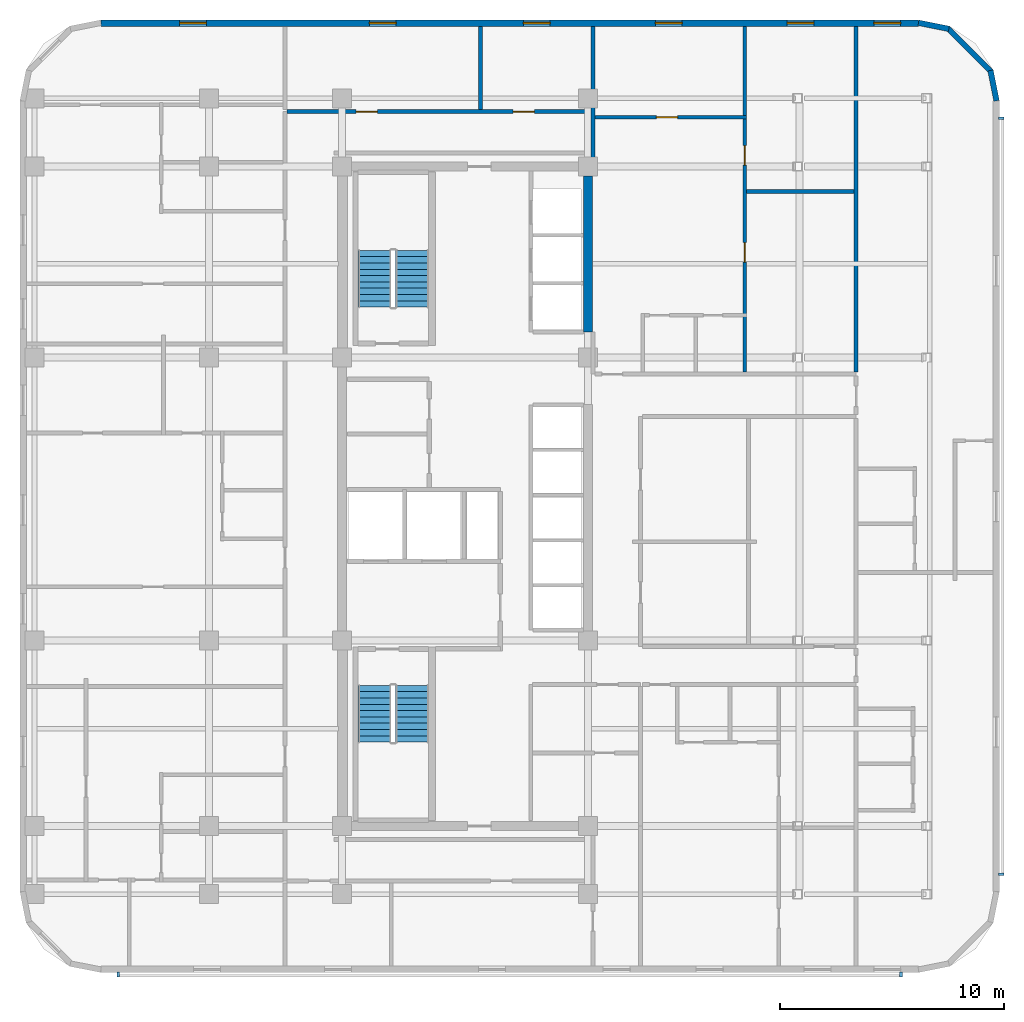
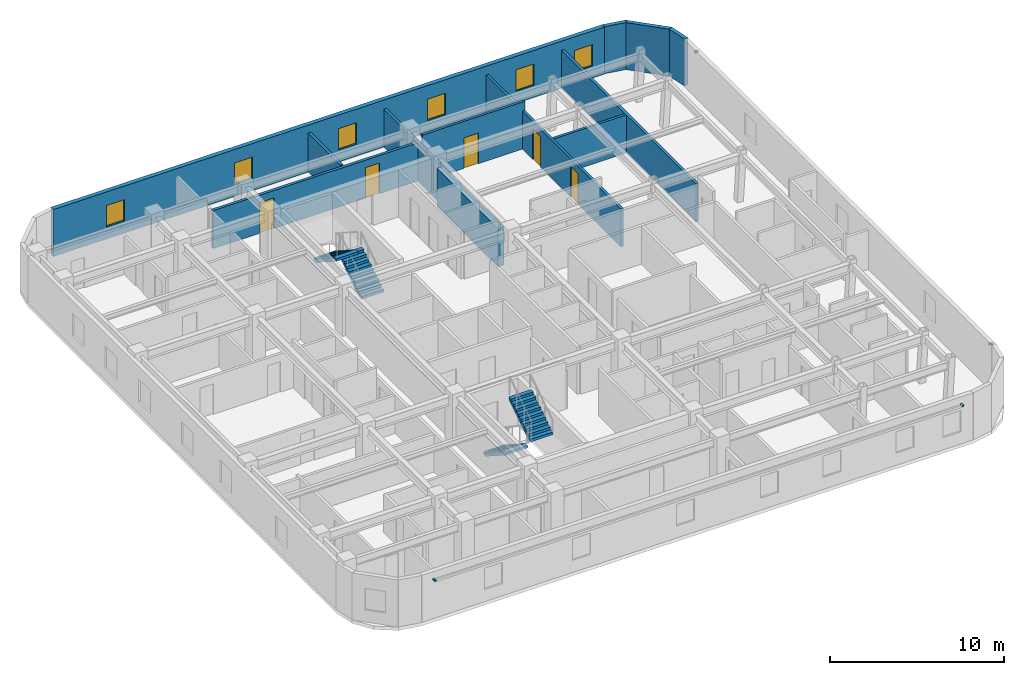
# One storey, part 7 of 11: 12 walls, 6 windows, 5 doors, 4 discrete accessories, 4 stair flights, 11 openings, 2 elements without a shape of their own.
"""IFC4 building model written with IfcOpenShell, lengths in metres."""

from ifc_helpers import new_model, si_unit, direction, frame, frame_2d, origin, origin_2d, place, context, subcontext, project, spatial, polyline, rectangle, outline, extrude, material, layer, layer_set, type_object, element, fill, aggregate, save


model = new_model("IFC4")

# Units and contexts
model_context = context("Model", 3, precision=1e-05, world=origin(), true_north=direction((0.0, 1.0)))
body_context = subcontext(model_context, "Body", "Model", "MODEL_VIEW")
ifc_project = project(units=[si_unit("LENGTHUNIT", "METRE"), si_unit("AREAUNIT", "SQUARE_METRE"), si_unit("VOLUMEUNIT", "CUBIC_METRE"), si_unit("PLANEANGLEUNIT", "RADIAN"), si_unit("MASSUNIT", "GRAM", prefix="KILO")], contexts=[model_context])

# Site, building, storey
site_placement = place(None, origin())
site = spatial("IfcSite", under=ifc_project, at=site_placement, CompositionType="ELEMENT")
building_placement = place(site_placement, origin())
building = spatial("IfcBuilding", under=site, at=building_placement, Name="Ochreholt Gables", CompositionType="ELEMENT")
storey_placement = place(building_placement, frame((0.0, 0.0, 132.0)))
storey = spatial("IfcBuildingStorey", under=building, at=storey_placement, Name="L34", CompositionType="ELEMENT", Elevation=132.0)

# Wall
ifc_material_1 = material(Name="Concrete 60 MPa", Category="concrete")
ifc_layer_1 = layer(ifc_material_1, 0.39990234375, Name="Concrete 60 MPa")
ifc_layer_set_1 = layer_set([ifc_layer_1], Name="Concrete 60 MPa")
wall_type_1 = type_object("IfcWallType", Name="WALL-CSW-400", PredefinedType="SHEAR", material=ifc_layer_set_1)
wall_1_placement = place(storey_placement, frame((35.199951171875, 31.35009765625, 0.0), z_axis=(0.0, 0.0, 1.0), x_axis=(0.0, 1.0, 0.0)))
element("IfcWall", 1, at=wall_1_placement, inside=storey, type_object=wall_type_1, Name="L34 Core North-East Shear Wall", PredefinedType="SHEAR", context=body_context, shape_type="SweptSolid", body=[
    extrude(rectangle(XDim=6.974853515625, YDim=0.39990234375, at=frame_2d((3.4873046875, 0.0))), origin(), (0.0, 0.0, 1.0), 2.68896484375),
])

# Wall, openings, windows
ifc_material_2 = material(Name="Precast concrete 40 MPa", Category="concrete")
ifc_layer_2 = layer(ifc_material_2, 0.280029296875, Name="Precast concrete 40 MPa")
ifc_layer_set_2 = layer_set([ifc_layer_2], Name="Precast concrete 40 MPa")
wall_type_2 = type_object("IfcWallType", Name="WALL-EXT-280", PredefinedType="SOLIDWALL", material=ifc_layer_set_2)
wall_2_placement = place(storey_placement, frame((49.97998046875, 45.159912109375, 0.0), z_axis=(0.0, 0.0, 1.0), x_axis=(-1.0, 0.0, 0.0)))
wall_2 = element("IfcWall", 2, at=wall_2_placement, inside=storey, type_object=wall_type_2, Name="L34 North Exterior Wall", PredefinedType="SOLIDWALL", context=body_context, shape_type="SweptSolid", body=[
    extrude(rectangle(XDim=36.56005859375, YDim=0.280029296875, at=frame_2d((18.280029296875, 0.0))), origin(), (0.0, 0.0, 1.0), 3.300048828125),
])
opening_1_placement = place(wall_2_placement, frame((31.844970703125, 0.0, 0.85009765625)))
opening_1 = element("IfcOpeningElement", 3, at=opening_1_placement, cuts=wall_2, Name="Opening WN-3", PredefinedType="OPENING", context=body_context, shape_type="SweptSolid", body=[
    extrude(rectangle(XDim=1.199951171875, YDim=1.5, at=frame_2d((0.60009765625, 0.75))), frame((0.0, 0.14990234375, 0.0), z_axis=(0.0, -1.0, 0.0), x_axis=(1.0, 0.0, 0.0)), (0.0, 0.0, 1.0), 0.300048828125),
])
opening_2_placement = place(wall_2_placement, frame((23.35498046875, 0.0, 0.85009765625)))
opening_2 = element("IfcOpeningElement", 4, at=opening_2_placement, cuts=wall_2, Name="Opening WN-3", PredefinedType="OPENING", context=body_context, shape_type="SweptSolid", body=[
    extrude(rectangle(XDim=1.199951171875, YDim=1.5, at=frame_2d((0.60009765625, 0.75))), frame((0.0, 0.14990234375, 0.0), z_axis=(0.0, -1.0, 0.0), x_axis=(1.0, 0.0, 0.0)), (0.0, 0.0, 1.0), 0.300048828125),
])
opening_3_placement = place(wall_2_placement, frame((16.469970703125, 0.0, 0.85009765625)))
opening_3 = element("IfcOpeningElement", 5, at=opening_3_placement, cuts=wall_2, Name="Opening WN-3", PredefinedType="OPENING", context=body_context, shape_type="SweptSolid", body=[
    extrude(rectangle(XDim=1.199951171875, YDim=1.5, at=frame_2d((0.60009765625, 0.75))), frame((0.0, 0.14990234375, 0.0), z_axis=(0.0, -1.0, 0.0), x_axis=(1.0, 0.0, 0.0)), (0.0, 0.0, 1.0), 0.300048828125),
])
opening_4_placement = place(wall_2_placement, frame((10.56494140625, 0.0, 0.85009765625)))
opening_4 = element("IfcOpeningElement", 6, at=opening_4_placement, cuts=wall_2, Name="Opening WN-3", PredefinedType="OPENING", context=body_context, shape_type="SweptSolid", body=[
    extrude(rectangle(XDim=1.199951171875, YDim=1.5, at=frame_2d((0.60009765625, 0.75))), frame((0.0, 0.14990234375, 0.0), z_axis=(0.0, -1.0, 0.0), x_axis=(1.0, 0.0, 0.0)), (0.0, 0.0, 1.0), 0.300048828125),
])
opening_5_placement = place(wall_2_placement, frame((4.675048828125, 0.0, 0.85009765625)))
opening_5 = element("IfcOpeningElement", 7, at=opening_5_placement, cuts=wall_2, Name="Opening WN-3", PredefinedType="OPENING", context=body_context, shape_type="SweptSolid", body=[
    extrude(rectangle(XDim=1.199951171875, YDim=1.5, at=frame_2d((0.60009765625, 0.75))), frame((0.0, 0.14990234375, 0.0), z_axis=(0.0, -1.0, 0.0), x_axis=(1.0, 0.0, 0.0)), (0.0, 0.0, 1.0), 0.300048828125),
])
opening_6_placement = place(wall_2_placement, frame((0.7900390625, 0.0, 0.85009765625)))
opening_6 = element("IfcOpeningElement", 8, at=opening_6_placement, cuts=wall_2, Name="Opening WN-3", PredefinedType="OPENING", context=body_context, shape_type="SweptSolid", body=[
    extrude(rectangle(XDim=1.199951171875, YDim=1.5, at=frame_2d((0.60009765625, 0.75))), frame((0.0, 0.14990234375, 0.0), z_axis=(0.0, -1.0, 0.0), x_axis=(1.0, 0.0, 0.0)), (0.0, 0.0, 1.0), 0.300048828125),
])
ifc_material_3 = material(Name="Triple-Glazed Thermally Broken Aluminium Window", Category="aluminium")
window_type = type_object("IfcWindowType", Name="WIN-RES-1200", PartitioningType="SINGLE_PANEL", PredefinedType="WINDOW", material=ifc_material_3)
window_1_placement = place(opening_1_placement, origin())
window_1 = element("IfcWindow", 9, at=window_1_placement, inside=storey, type_object=window_type, Name="L34 Window W-EXT-N-L34-1", OverallHeight=1.5, OverallWidth=1.199951171875, PartitioningType="SINGLE_PANEL", PredefinedType="WINDOW", context=body_context, shape_type="SweptSolid", body=[
    extrude(rectangle(XDim=1.199951171875, YDim=1.5, at=frame_2d((0.60009765625, 0.75))), frame((0.0, 0.030029296875, 0.0), z_axis=(0.0, -1.0, 0.0), x_axis=(1.0, 0.0, 0.0)), (0.0, 0.0, 1.0), 0.06005859375),
])
fill(opening_1, window_1)
window_2_placement = place(opening_2_placement, origin())
window_2 = element("IfcWindow", 10, at=window_2_placement, inside=storey, type_object=window_type, Name="L34 Window W-EXT-N-L34-2", OverallHeight=1.5, OverallWidth=1.199951171875, PartitioningType="SINGLE_PANEL", PredefinedType="WINDOW", context=body_context, shape_type="SweptSolid", body=[
    extrude(rectangle(XDim=1.199951171875, YDim=1.5, at=frame_2d((0.60009765625, 0.75))), frame((0.0, 0.030029296875, 0.0), z_axis=(0.0, -1.0, 0.0), x_axis=(1.0, 0.0, 0.0)), (0.0, 0.0, 1.0), 0.06005859375),
])
fill(opening_2, window_2)
window_3_placement = place(opening_3_placement, origin())
window_3 = element("IfcWindow", 11, at=window_3_placement, inside=storey, type_object=window_type, Name="L34 Window W-EXT-N-L34-3", OverallHeight=1.5, OverallWidth=1.199951171875, PartitioningType="SINGLE_PANEL", PredefinedType="WINDOW", context=body_context, shape_type="SweptSolid", body=[
    extrude(rectangle(XDim=1.199951171875, YDim=1.5, at=frame_2d((0.60009765625, 0.75))), frame((0.0, 0.030029296875, 0.0), z_axis=(0.0, -1.0, 0.0), x_axis=(1.0, 0.0, 0.0)), (0.0, 0.0, 1.0), 0.06005859375),
])
fill(opening_3, window_3)
window_4_placement = place(opening_4_placement, origin())
window_4 = element("IfcWindow", 12, at=window_4_placement, inside=storey, type_object=window_type, Name="L34 Window W-EXT-N-L34-4", OverallHeight=1.5, OverallWidth=1.199951171875, PartitioningType="SINGLE_PANEL", PredefinedType="WINDOW", context=body_context, shape_type="SweptSolid", body=[
    extrude(rectangle(XDim=1.199951171875, YDim=1.5, at=frame_2d((0.60009765625, 0.75))), frame((0.0, 0.030029296875, 0.0), z_axis=(0.0, -1.0, 0.0), x_axis=(1.0, 0.0, 0.0)), (0.0, 0.0, 1.0), 0.06005859375),
])
fill(opening_4, window_4)
window_5_placement = place(opening_5_placement, origin())
window_5 = element("IfcWindow", 13, at=window_5_placement, inside=storey, type_object=window_type, Name="L34 Window W-EXT-N-L34-5", OverallHeight=1.5, OverallWidth=1.199951171875, PartitioningType="SINGLE_PANEL", PredefinedType="WINDOW", context=body_context, shape_type="SweptSolid", body=[
    extrude(rectangle(XDim=1.199951171875, YDim=1.5, at=frame_2d((0.60009765625, 0.75))), frame((0.0, 0.030029296875, 0.0), z_axis=(0.0, -1.0, 0.0), x_axis=(1.0, 0.0, 0.0)), (0.0, 0.0, 1.0), 0.06005859375),
])
fill(opening_5, window_5)
window_6_placement = place(opening_6_placement, origin())
window_6 = element("IfcWindow", 14, at=window_6_placement, inside=storey, type_object=window_type, Name="L34 Window W-EXT-N-L34-6", OverallHeight=1.5, OverallWidth=1.199951171875, PartitioningType="SINGLE_PANEL", PredefinedType="WINDOW", context=body_context, shape_type="SweptSolid", body=[
    extrude(rectangle(XDim=1.199951171875, YDim=1.5, at=frame_2d((0.60009765625, 0.75))), frame((0.0, 0.030029296875, 0.0), z_axis=(0.0, -1.0, 0.0), x_axis=(1.0, 0.0, 0.0)), (0.0, 0.0, 1.0), 0.06005859375),
])
fill(opening_6, window_6)

# Walls
ifc_layer_3 = layer(ifc_material_2, 0.25, Name="Precast concrete 40 MPa")
ifc_layer_set_3 = layer_set([ifc_layer_3], Name="Precast concrete 40 MPa")
wall_type_3 = type_object("IfcWallType", Name="WALL-EXT-CNR", PredefinedType="SOLIDWALL", material=ifc_layer_set_3)
wall_3_placement = place(storey_placement, frame((53.475830078125, 41.68359375, 0.0), z_axis=(0.0, 0.0, 1.0), x_axis=(-0.195000137217, 0.980803214965, 0.0)))
element("IfcWall", 15, at=wall_3_placement, inside=storey, type_object=wall_type_3, Name="L34 Rounded Corner Wall NE-1", PredefinedType="SOLIDWALL", context=body_context, shape_type="SweptSolid", body=[
    extrude(rectangle(XDim=1.388427734375, YDim=0.25, at=frame_2d((0.6943359375, 0.0))), origin(), (0.0, 0.0, 1.0), 3.300048828125),
])
wall_4_placement = place(storey_placement, frame((53.23193359375, 42.9951171875, 0.0), z_axis=(0.0, 0.0, 1.0), x_axis=(-0.707151344399, 0.707062215165, 0.0)))
element("IfcWall", 16, at=wall_4_placement, inside=storey, type_object=wall_type_3, Name="L34 Rounded Corner Wall NE-2", PredefinedType="SOLIDWALL", context=body_context, shape_type="SweptSolid", body=[
    extrude(rectangle(XDim=2.7392578125, YDim=0.25, at=frame_2d((1.36962890625, 0.0))), origin(), (0.0, 0.0, 1.0), 3.300048828125),
])
wall_5_placement = place(storey_placement, frame((51.345458984375, 44.905029296875, 0.0), z_axis=(0.0, 0.0, 1.0), x_axis=(-0.980809899341, 0.19496651342, 0.0)))
element("IfcWall", 17, at=wall_5_placement, inside=storey, type_object=wall_type_3, Name="L34 Rounded Corner Wall NE-3", PredefinedType="SOLIDWALL", context=body_context, shape_type="SweptSolid", body=[
    extrude(rectangle(XDim=1.388671875, YDim=0.25, at=frame_2d((0.6943359375, 0.0))), origin(), (0.0, 0.0, 1.0), 3.300048828125),
])

# Wall, openings, doors
ifc_material_4 = material(Name="Fire-Rated Gypsum Acoustic Partition", Category="gypsum")
ifc_layer_4 = layer(ifc_material_4, 0.179931640625, Name="Fire-Rated Gypsum Acoustic Partition")
ifc_layer_set_4 = layer_set([ifc_layer_4], Name="Fire-Rated Gypsum Acoustic Partition")
wall_type_4 = type_object("IfcWallType", Name="WALL-INT-CR180", PredefinedType="STANDARD", material=ifc_layer_set_4)
wall_6_placement = place(storey_placement, frame((21.739990234375, 41.199951171875, 0.0), z_axis=(0.0, 0.0, 1.0), x_axis=(1.0, 0.0, 0.0)))
wall_6 = element("IfcWall", 18, at=wall_6_placement, inside=storey, type_object=wall_type_4, Name="L34 Interior Wall WI-C2WCN-L34", PredefinedType="STANDARD", context=body_context, shape_type="SweptSolid", body=[
    extrude(rectangle(XDim=13.679931640625, YDim=0.179931640625, at=frame_2d((6.83984375, 0.0))), origin(), (0.0, 0.0, 1.0), 2.6708984375),
])
opening_7_placement = place(wall_6_placement, frame((3.090087890625, 0.0, 0.0)))
opening_7 = element("IfcOpeningElement", 19, at=opening_7_placement, cuts=wall_6, Name="Opening D-GN1", PredefinedType="OPENING", context=body_context, shape_type="SweptSolid", body=[
    extrude(rectangle(XDim=0.949951171875, YDim=2.14990234375, at=frame_2d((0.47509765625, 1.074951171875))), frame((0.0, 0.099853515625, 0.0), z_axis=(0.0, -1.0, 0.0), x_axis=(1.0, 0.0, 0.0)), (0.0, 0.0, 1.0), 0.199951171875),
])
opening_8_placement = place(wall_6_placement, frame((10.110107421875, 0.0, 0.0)))
opening_8 = element("IfcOpeningElement", 20, at=opening_8_placement, cuts=wall_6, Name="Opening D-GN1", PredefinedType="OPENING", context=body_context, shape_type="SweptSolid", body=[
    extrude(rectangle(XDim=0.949951171875, YDim=2.14990234375, at=frame_2d((0.47509765625, 1.074951171875))), frame((0.0, 0.099853515625, 0.0), z_axis=(0.0, -1.0, 0.0), x_axis=(1.0, 0.0, 0.0)), (0.0, 0.0, 1.0), 0.199951171875),
])
ifc_material_5 = material(Name="Engineered Oak Timber", Category="wood")
door_type_1 = type_object("IfcDoorType", Name="DR-INT-GEN950", OperationType="NOTDEFINED", PredefinedType="DOOR", material=ifc_material_5)
door_1_placement = place(opening_7_placement, origin())
door_1 = element("IfcDoor", 21, at=door_1_placement, inside=storey, type_object=door_type_1, Name="L34 Door D-C2NRS1-L34", OperationType="SINGLE_SWING_RIGHT", OverallHeight=2.14990234375, OverallWidth=0.949951171875, PredefinedType="DOOR", context=body_context, shape_type="SweptSolid", body=[
    extrude(rectangle(XDim=0.949951171875, YDim=2.14990234375, at=frame_2d((0.47509765625, 1.074951171875))), frame((0.0, 0.02490234375, 0.0), z_axis=(0.0, -1.0, 0.0), x_axis=(1.0, 0.0, 0.0)), (0.0, 0.0, 1.0), 0.050048828125),
])
fill(opening_7, door_1)
door_2_placement = place(opening_8_placement, origin())
door_2 = element("IfcDoor", 22, at=door_2_placement, inside=storey, type_object=door_type_1, Name="L34 Door D-C2NRS2-L34", OperationType="SINGLE_SWING_LEFT", OverallHeight=2.14990234375, OverallWidth=0.949951171875, PredefinedType="DOOR", context=body_context, shape_type="SweptSolid", body=[
    extrude(rectangle(XDim=0.949951171875, YDim=2.14990234375, at=frame_2d((0.47509765625, 1.074951171875))), frame((0.0, 0.02490234375, 0.0), z_axis=(0.0, -1.0, 0.0), x_axis=(1.0, 0.0, 0.0)), (0.0, 0.0, 1.0), 0.050048828125),
])
fill(opening_8, door_2)

# Walls
ifc_material_6 = material(Name="Double-Stud Acoustic Demising Wall", Category="gypsum")
ifc_layer_5 = layer(ifc_material_6, 0.179931640625, Name="Double-Stud Acoustic Demising Wall")
ifc_layer_set_5 = layer_set([ifc_layer_5], Name="Double-Stud Acoustic Demising Wall")
wall_type_5 = type_object("IfcWallType", Name="WALL-INT-DM180", PredefinedType="PARTITIONING", material=ifc_layer_set_5)
wall_7_placement = place(storey_placement, frame((35.419921875, 38.75, 0.0), z_axis=(0.0, 0.0, 1.0), x_axis=(0.0, 1.0, 0.0)))
element("IfcWall", 23, at=wall_7_placement, inside=storey, type_object=wall_type_5, Name="L34 Interior Wall WI-C2NEN-L34", PredefinedType="PARTITIONING", context=body_context, shape_type="SweptSolid", body=[
    extrude(rectangle(XDim=6.27001953125, YDim=0.179931640625, at=frame_2d((3.135009765625, 0.0))), origin(), (0.0, 0.0, 1.0), 2.6708984375),
])
wall_8_placement = place(storey_placement, frame((47.199951171875, 29.550048828125, 0.0), z_axis=(0.0, 0.0, 1.0), x_axis=(0.0, 1.0, 0.0)))
element("IfcWall", 24, at=wall_8_placement, inside=storey, type_object=wall_type_5, Name="L34 Interior Wall WI-C2FEW3-L34", PredefinedType="PARTITIONING", context=body_context, shape_type="SweptSolid", body=[
    extrude(rectangle(XDim=15.469970703125, YDim=0.179931640625, at=frame_2d((7.73486328125, 0.0))), origin(), (0.0, 0.0, 1.0), 2.6708984375),
])

# Wall, openings, doors
ifc_material_7 = material(Name="Gypsum Acoustic Stud Partition", Category="gypsum")
ifc_layer_6 = layer(ifc_material_7, 0.1650390625, Name="Gypsum Acoustic Stud Partition")
ifc_layer_set_6 = layer_set([ifc_layer_6], Name="Gypsum Acoustic Stud Partition")
wall_type_6 = type_object("IfcWallType", Name="WALL-INT-PT165", PredefinedType="PARTITIONING", material=ifc_layer_set_6)
wall_9_placement = place(storey_placement, frame((42.2099609375, 29.550048828125, 0.0), z_axis=(0.0, 0.0, 1.0), x_axis=(0.0, 1.0, 0.0)))
wall_9 = element("IfcWall", 25, at=wall_9_placement, inside=storey, type_object=wall_type_6, Name="L34 Interior Wall WU-L34N1-MNX", PredefinedType="PARTITIONING", context=body_context, shape_type="SweptSolid", body=[
    extrude(rectangle(XDim=15.469970703125, YDim=0.1650390625, at=frame_2d((7.73486328125, 0.0))), origin(), (0.0, 0.0, 1.0), 2.6708984375),
])
opening_9_placement = place(wall_9_placement, frame((4.91748046875, 0.0, 0.0)))
opening_9 = element("IfcOpeningElement", 26, at=opening_9_placement, cuts=wall_9, Name="Opening D-BD2", PredefinedType="OPENING", context=body_context, shape_type="SweptSolid", body=[
    extrude(rectangle(XDim=0.8798828125, YDim=2.139892578125, at=frame_2d((0.43994140625, 1.06982421875))), frame((0.0, 0.092529296875, 0.0), z_axis=(0.0, -1.0, 0.0), x_axis=(1.0, 0.0, 0.0)), (0.0, 0.0, 1.0), 0.18505859375),
])
opening_10_placement = place(wall_9_placement, frame((9.2548828125, 0.0, 0.0)))
opening_10 = element("IfcOpeningElement", 27, at=opening_10_placement, cuts=wall_9, Name="Opening D-BD2", PredefinedType="OPENING", context=body_context, shape_type="SweptSolid", body=[
    extrude(rectangle(XDim=0.8798828125, YDim=2.139892578125, at=frame_2d((0.43994140625, 1.06982421875))), frame((0.0, 0.092529296875, 0.0), z_axis=(0.0, -1.0, 0.0), x_axis=(1.0, 0.0, 0.0)), (0.0, 0.0, 1.0), 0.18505859375),
])
door_type_2 = type_object("IfcDoorType", Name="DR-INT-BED880", OperationType="NOTDEFINED", PredefinedType="DOOR", material=ifc_material_5)
door_3_placement = place(opening_9_placement, origin())
door_3 = element("IfcDoor", 28, at=door_3_placement, inside=storey, type_object=door_type_2, Name="L34 Door D-U-L34N1-BD1", OperationType="SINGLE_SWING_LEFT", OverallHeight=2.139892578125, OverallWidth=0.8798828125, PredefinedType="DOOR", context=body_context, shape_type="SweptSolid", body=[
    extrude(rectangle(XDim=0.8798828125, YDim=2.139892578125, at=frame_2d((0.43994140625, 1.06982421875))), frame((0.0, 0.02490234375, 0.0), z_axis=(0.0, -1.0, 0.0), x_axis=(1.0, 0.0, 0.0)), (0.0, 0.0, 1.0), 0.050048828125),
])
fill(opening_9, door_3)
door_4_placement = place(opening_10_placement, origin())
door_4 = element("IfcDoor", 29, at=door_4_placement, inside=storey, type_object=door_type_2, Name="L34 Door D-U-L34N1-BD2", OperationType="SINGLE_SWING_RIGHT", OverallHeight=2.139892578125, OverallWidth=0.8798828125, PredefinedType="DOOR", context=body_context, shape_type="SweptSolid", body=[
    extrude(rectangle(XDim=0.8798828125, YDim=2.139892578125, at=frame_2d((0.43994140625, 1.06982421875))), frame((0.0, 0.02490234375, 0.0), z_axis=(0.0, -1.0, 0.0), x_axis=(1.0, 0.0, 0.0)), (0.0, 0.0, 1.0), 0.050048828125),
])
fill(opening_10, door_4)

# Wall, opening, door
wall_10_placement = place(storey_placement, frame((35.510009765625, 40.949951171875, 0.0), z_axis=(0.0, 0.0, 1.0), x_axis=(1.0, 0.0, 0.0)))
wall_10 = element("IfcWall", 30, at=wall_10_placement, inside=storey, type_object=wall_type_6, Name="L34 Interior Wall WU-L34N1-DNY", PredefinedType="PARTITIONING", context=body_context, shape_type="SweptSolid", body=[
    extrude(rectangle(XDim=6.780029296875, YDim=0.1650390625, at=frame_2d((3.39013671875, 0.0))), origin(), (0.0, 0.0, 1.0), 3.300048828125),
])
opening_11_placement = place(wall_10_placement, frame((2.7548828125, 0.0, 0.0)))
opening_11 = element("IfcOpeningElement", 31, at=opening_11_placement, cuts=wall_10, Name="Opening D-GN1", PredefinedType="OPENING", context=body_context, shape_type="SweptSolid", body=[
    extrude(rectangle(XDim=0.949951171875, YDim=2.14990234375, at=frame_2d((0.47509765625, 1.074951171875))), frame((0.0, 0.092529296875, 0.0), z_axis=(0.0, -1.0, 0.0), x_axis=(1.0, 0.0, 0.0)), (0.0, 0.0, 1.0), 0.18505859375),
])
door_5_placement = place(opening_11_placement, origin())
door_5 = element("IfcDoor", 32, at=door_5_placement, inside=storey, type_object=door_type_1, Name="L34 Door D-U-L34N1-DIN", OperationType="SINGLE_SWING_RIGHT", OverallHeight=2.14990234375, OverallWidth=0.949951171875, PredefinedType="DOOR", context=body_context, shape_type="SweptSolid", body=[
    extrude(rectangle(XDim=0.949951171875, YDim=2.14990234375, at=frame_2d((0.47509765625, 1.074951171875))), frame((0.0, 0.02490234375, 0.0), z_axis=(0.0, -1.0, 0.0), x_axis=(1.0, 0.0, 0.0)), (0.0, 0.0, 1.0), 0.050048828125),
])
fill(opening_11, door_5)

# Walls
wall_11_placement = place(storey_placement, frame((42.2900390625, 37.6298828125, 0.0), z_axis=(0.0, 0.0, 1.0), x_axis=(1.0, 0.0, 0.0)))
element("IfcWall", 33, at=wall_11_placement, inside=storey, type_object=wall_type_6, Name="L34 Interior Wall WU-L34N1-RDV", PredefinedType="PARTITIONING", context=body_context, shape_type="SweptSolid", body=[
    extrude(rectangle(XDim=4.820068359375, YDim=0.1650390625, at=frame_2d((2.41015625, 0.0))), origin(), (0.0, 0.0, 1.0), 2.6708984375),
])
wall_12_placement = place(storey_placement, frame((30.39990234375, 41.2900390625, 0.0), z_axis=(0.0, 0.0, 1.0), x_axis=(0.0, 1.0, 0.0)))
element("IfcWall", 34, at=wall_12_placement, inside=storey, type_object=wall_type_6, Name="L34 Interior Wall WI-C2PKN-L34", PredefinedType="PARTITIONING", context=body_context, shape_type="SweptSolid", body=[
    extrude(rectangle(XDim=3.72998046875, YDim=0.1650390625, at=frame_2d((1.864990234375, 0.0))), origin(), (0.0, 0.0, 1.0), 2.7490234375),
])

# Stair, stair flights
ifc_material_8 = material(Name="Concrete 40 MPa", Category="concrete")
stair_type_1 = type_object("IfcStairType", Name="STAIR-CORE-ST-1", PredefinedType="HALF_TURN_STAIR", material=ifc_material_8)
stair_1_placement = place(storey_placement, origin())
stair_1 = element("IfcStair", 35, at=stair_1_placement, inside=storey, type_object=stair_type_1, Name="L34 Core Exit Stair 1", PredefinedType="HALF_TURN_STAIR")
stair_flight_type = type_object("IfcStairFlightType", Name="FLIGHT-ST-1480-1800", PredefinedType="STRAIGHT", material=ifc_material_8)
stair_flight_1_placement = place(storey_placement, frame((25.659912109375, 15.5400390625, 0.0), z_axis=(0.0, 0.0, 1.0), x_axis=(0.0, -1.0, 0.0)))
stair_flight_1 = element("IfcStairFlight", 36, at=stair_flight_1_placement, type_object=stair_flight_type, Name="ST-1 flight 1", NumberOfRisers=10, NumberOfTreads=9, PredefinedType="STRAIGHT", RiserHeight=0.18, TreadLength=0.282, context=body_context, shape_type="SweptSolid", body=[
    extrude(outline(polyline([(0.0, 0.0), (0.0, 0.179931640625), (0.281982421875, 0.179931640625), (0.281982421875, 0.360107421875), (0.56396484375, 0.360107421875), (0.56396484375, 0.5400390625), (0.845947265625, 0.5400390625), (0.845947265625, 0.719970703125), (1.1279296875, 0.719970703125), (1.1279296875, 0.89990234375), (1.409912109375, 0.89990234375), (1.409912109375, 1.080078125), (1.69189453125, 1.080078125), (1.69189453125, 1.260009765625), (1.97412109375, 1.260009765625), (1.97412109375, 1.43994140625), (2.256103515625, 1.43994140625), (2.256103515625, 1.6201171875), (2.5380859375, 1.6201171875), (2.5380859375, 1.800048828125), (2.5380859375, 1.442138671875), (0.278564453125, 0.0), (0.0, 0.0)])), frame((0.0, 0.739990234375, 0.0), z_axis=(0.0, -1.0, 0.0), x_axis=(1.0, 0.0, 0.0)), (0.0, 0.0, 1.0), 1.47998046875),
])
stair_flight_2_placement = place(storey_placement, frame((27.340087890625, 13.001953125, 1.800048828125), z_axis=(0.0, 0.0, 1.0), x_axis=(0.0, 1.0, 0.0)))
stair_flight_2 = element("IfcStairFlight", 37, at=stair_flight_2_placement, type_object=stair_flight_type, Name="ST-1 flight 2", NumberOfRisers=10, NumberOfTreads=9, PredefinedType="STRAIGHT", RiserHeight=0.18, TreadLength=0.282, context=body_context, shape_type="SweptSolid", body=[
    extrude(outline(polyline([(0.0, 0.0), (0.0, 0.179931640625), (0.281982421875, 0.179931640625), (0.281982421875, 0.360107421875), (0.56396484375, 0.360107421875), (0.56396484375, 0.5400390625), (0.845947265625, 0.5400390625), (0.845947265625, 0.719970703125), (1.1279296875, 0.719970703125), (1.1279296875, 0.89990234375), (1.409912109375, 0.89990234375), (1.409912109375, 1.080078125), (1.69189453125, 1.080078125), (1.69189453125, 1.260009765625), (1.97412109375, 1.260009765625), (1.97412109375, 1.43994140625), (2.256103515625, 1.43994140625), (2.256103515625, 1.6201171875), (2.5380859375, 1.6201171875), (2.5380859375, 1.800048828125), (2.5380859375, 1.442138671875), (0.278564453125, 0.0), (0.0, 0.0)])), frame((0.0, 0.739990234375, 0.0), z_axis=(0.0, -1.0, 0.0), x_axis=(1.0, 0.0, 0.0)), (0.0, 0.0, 1.0), 1.47998046875),
])
aggregate(stair_1, [stair_flight_1, stair_flight_2])

stair_type_2 = type_object("IfcStairType", Name="STAIR-CORE-ST-2", PredefinedType="HALF_TURN_STAIR", material=ifc_material_8)
stair_2_placement = place(storey_placement, origin())
stair_2 = element("IfcStair", 38, at=stair_2_placement, inside=storey, type_object=stair_type_2, Name="L34 Core Exit Stair 2", PredefinedType="HALF_TURN_STAIR")
stair_flight_3_placement = place(storey_placement, frame((27.340087890625, 32.4599609375, 0.0), z_axis=(0.0, 0.0, 1.0), x_axis=(0.0, 1.0, 0.0)))
stair_flight_3 = element("IfcStairFlight", 39, at=stair_flight_3_placement, type_object=stair_flight_type, Name="ST-2 flight 1", NumberOfRisers=10, NumberOfTreads=9, PredefinedType="STRAIGHT", RiserHeight=0.18, TreadLength=0.282, context=body_context, shape_type="SweptSolid", body=[
    extrude(outline(polyline([(0.0, 0.0), (0.0, 0.179931640625), (0.281982421875, 0.179931640625), (0.281982421875, 0.360107421875), (0.56396484375, 0.360107421875), (0.56396484375, 0.5400390625), (0.845947265625, 0.5400390625), (0.845947265625, 0.719970703125), (1.1279296875, 0.719970703125), (1.1279296875, 0.89990234375), (1.409912109375, 0.89990234375), (1.409912109375, 1.080078125), (1.69189453125, 1.080078125), (1.69189453125, 1.260009765625), (1.97412109375, 1.260009765625), (1.97412109375, 1.43994140625), (2.256103515625, 1.43994140625), (2.256103515625, 1.6201171875), (2.5380859375, 1.6201171875), (2.5380859375, 1.800048828125), (2.5380859375, 1.442138671875), (0.278564453125, 0.0), (0.0, 0.0)])), frame((0.0, 0.739990234375, 0.0), z_axis=(0.0, -1.0, 0.0), x_axis=(1.0, 0.0, 0.0)), (0.0, 0.0, 1.0), 1.47998046875),
])
stair_flight_4_placement = place(storey_placement, frame((25.659912109375, 34.998046875, 1.800048828125), z_axis=(0.0, 0.0, 1.0), x_axis=(0.0, -1.0, 0.0)))
stair_flight_4 = element("IfcStairFlight", 40, at=stair_flight_4_placement, type_object=stair_flight_type, Name="ST-2 flight 2", NumberOfRisers=10, NumberOfTreads=9, PredefinedType="STRAIGHT", RiserHeight=0.18, TreadLength=0.282, context=body_context, shape_type="SweptSolid", body=[
    extrude(outline(polyline([(0.0, 0.0), (0.0, 0.179931640625), (0.281982421875, 0.179931640625), (0.281982421875, 0.360107421875), (0.56396484375, 0.360107421875), (0.56396484375, 0.5400390625), (0.845947265625, 0.5400390625), (0.845947265625, 0.719970703125), (1.1279296875, 0.719970703125), (1.1279296875, 0.89990234375), (1.409912109375, 0.89990234375), (1.409912109375, 1.080078125), (1.69189453125, 1.080078125), (1.69189453125, 1.260009765625), (1.97412109375, 1.260009765625), (1.97412109375, 1.43994140625), (2.256103515625, 1.43994140625), (2.256103515625, 1.6201171875), (2.5380859375, 1.6201171875), (2.5380859375, 1.800048828125), (2.5380859375, 1.442138671875), (0.278564453125, 0.0), (0.0, 0.0)])), frame((0.0, 0.739990234375, 0.0), z_axis=(0.0, -1.0, 0.0), x_axis=(1.0, 0.0, 0.0)), (0.0, 0.0, 1.0), 1.47998046875),
])
aggregate(stair_2, [stair_flight_3, stair_flight_4])

# Discrete accessories
ifc_material_9 = material(Name="Extruded Aluminium Standoff Bracket", Category="aluminium")
discrete_accessory_type = type_object("IfcDiscreteAccessoryType", Name="ACC-BRACKET-AL", PredefinedType="BRACKET", material=ifc_material_9)
for number, where, z_axis, x_axis, name in (
    (41, (14.199951171875, 2.610107421875, 2.719970703125), (0.0, 0.0, 1.0), (1.0, 0.0, 0.0), "L34 Baguette Standoff Bracket S1-1"),
    (42, (49.199951171875, 2.610107421875, 2.719970703125), (0.0, 0.0, 1.0), (1.0, 0.0, 0.0), "L34 Baguette Standoff Bracket S1-2"),
    (43, (53.68994140625, 7.10009765625, 2.719970703125), (0.0, 0.0, 1.0), (0.0, 1.0, 0.0), "L34 Baguette Standoff Bracket E1-1"),
    (44, (53.68994140625, 40.89990234375, 2.719970703125), (0.0, 0.0, 1.0), (0.0, 1.0, 0.0), "L34 Baguette Standoff Bracket E1-2"),
):
    element("IfcDiscreteAccessory", number, at=place(storey_placement, frame(where, z_axis=z_axis, x_axis=x_axis)), inside=storey, type_object=discrete_accessory_type, Name=name, PredefinedType="BRACKET", context=body_context, shape_type="SweptSolid", body=[
        extrude(rectangle(XDim=0.1201171875, YDim=0.239990234375, at=origin_2d()), origin(), (0.0, 0.0, 1.0), 0.1201171875),
    ])

save(model, "model.ifc")
